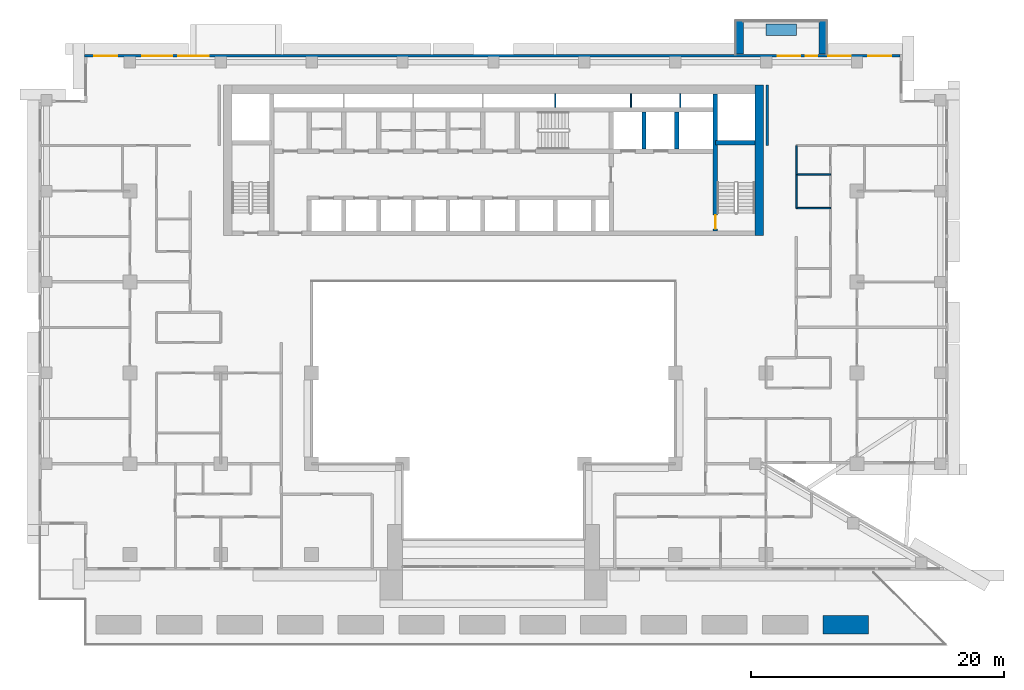
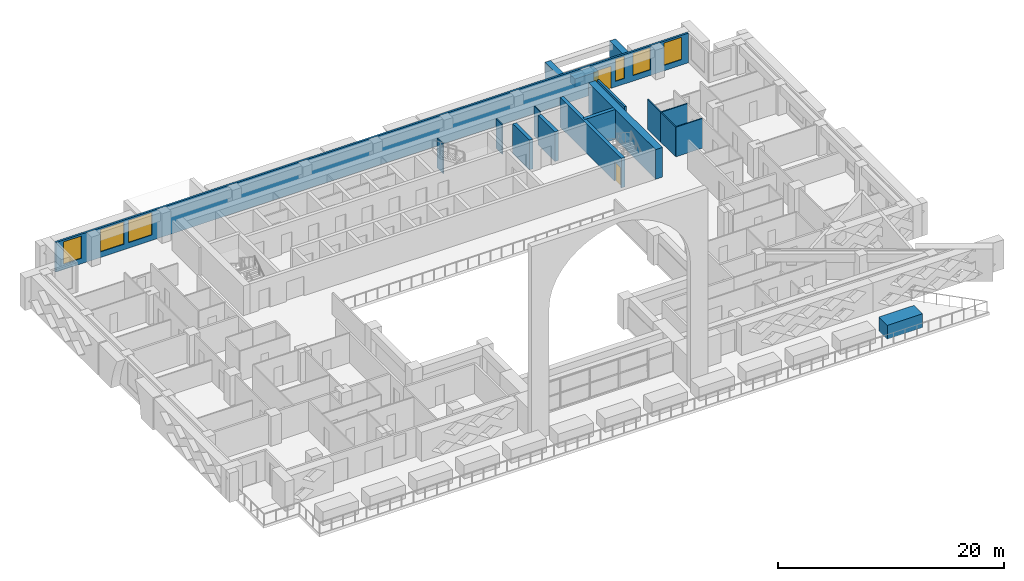
# One storey, part 11 of 17: 18 walls, 6 windows, 2 doors, 8 openings.
"""IFC4 building model written with IfcOpenShell, lengths in metres."""

from ifc_helpers import new_model, si_unit, direction, frame, frame_2d, origin, place, context, subcontext, project, spatial, rectangle, extrude, material, layer, layer_set, type_object, element, fill, save


model = new_model("IFC4")

# Units and contexts
model_context = context("Model", 3, precision=1e-05, world=origin(), true_north=direction((0.0, 1.0)))
body_context = subcontext(model_context, "Body", "Model", "MODEL_VIEW")
ifc_project = project(units=[si_unit("LENGTHUNIT", "METRE"), si_unit("AREAUNIT", "SQUARE_METRE"), si_unit("VOLUMEUNIT", "CUBIC_METRE"), si_unit("PLANEANGLEUNIT", "RADIAN"), si_unit("MASSUNIT", "GRAM", prefix="KILO")], contexts=[model_context])

# Site, building, storey
site_placement = place(None, origin())
site = spatial("IfcSite", under=ifc_project, at=site_placement, CompositionType="ELEMENT")
building_placement = place(site_placement, origin())
building = spatial("IfcBuilding", under=site, at=building_placement, Name="Saffron Iwan Residences", CompositionType="ELEMENT")
storey_placement = place(building_placement, frame((0.0, 0.0, 113.0)))
storey = spatial("IfcBuildingStorey", under=building, at=storey_placement, Name="L29", CompositionType="ELEMENT", Elevation=113.0)

# Walls
ifc_material_1 = material(Name="Concrete C50/60 white painted", Category="concrete")
ifc_layer_1 = layer(ifc_material_1, 0.60009765625)
ifc_layer_set_1 = layer_set([ifc_layer_1], Name="Concrete C50/60 white painted")
wall_type_1 = type_object("IfcWallType", Name="BALCONY FIN 600", PredefinedType="SOLIDWALL", material=ifc_layer_set_1)
for number, where, z_axis, x_axis, name in (
    (1, (76.5, 80.449951171875, 0.0), (0.0, 0.0, 1.0), (0.0, 1.0, 0.0), "Balcony fin L29 F5-0a"),
    (2, (69.89990234375, 80.449951171875, 0.0), (0.0, 0.0, 1.0), (0.0, 1.0, 0.0), "Balcony fin L29 F5-0b"),
):
    element("IfcWall", number, at=place(storey_placement, frame(where, z_axis=z_axis, x_axis=x_axis)), inside=storey, type_object=wall_type_1, Name=name, PredefinedType="SOLIDWALL", context=body_context, shape_type="SweptSolid", body=[
        extrude(rectangle(XDim=2.650146484375, YDim=0.60009765625, at=frame_2d((1.3251953125, 0.0))), origin(), (0.0, 0.0, 1.0), 2.85009765625),
    ])
ifc_material_2 = material(Name="Concrete C35/45 white painted", Category="concrete")
ifc_layer_2 = layer(ifc_material_2, 0.14990234375)
ifc_layer_set_2 = layer_set([ifc_layer_2], Name="Concrete C35/45 white painted")
wall_type_2 = type_object("IfcWallType", Name="BALCONY PLANTER", PredefinedType="SOLIDWALL", material=ifc_layer_set_2)
wall_1_placement = place(storey_placement, frame((74.39990234375, 82.375, 0.0), z_axis=(0.0, 0.0, 1.0), x_axis=(-1.0, 0.0, 0.0)))
element("IfcWall", 3, at=wall_1_placement, inside=storey, type_object=wall_type_2, Name="PLANTER L29 F5-0", PredefinedType="SOLIDWALL", context=body_context, shape_type="SweptSolid", body=[
    extrude(rectangle(XDim=2.39990234375, YDim=0.89990234375, at=frame_2d((1.199951171875, 0.0))), origin(), (0.0, 0.0, 1.0), 0.89990234375),
])

# Wall, openings, door, windows
ifc_material_3 = material(Name="Concrete C40/50", Category="concrete")
ifc_layer_3 = layer(ifc_material_3, 0.199951171875)
ifc_layer_set_3 = layer_set([ifc_layer_3], Name="Concrete C40/50")
wall_type_3 = type_object("IfcWallType", Name="EXTERNAL WALL 200", PredefinedType="SOLIDWALL", material=ifc_layer_set_3)
wall_2_placement = place(storey_placement, frame((82.60009765625, 80.300048828125, 0.0), z_axis=(0.0, 0.0, 1.0), x_axis=(-1.0, 0.0, 0.0)))
wall_2 = element("IfcWall", 4, at=wall_2_placement, inside=storey, type_object=wall_type_3, Name="External wall L29 F5.0", PredefinedType="SOLIDWALL", context=body_context, shape_type="SweptSolid", body=[
    extrude(rectangle(XDim=64.60009765625, YDim=0.199951171875, at=frame_2d((32.300048828125, 0.0))), origin(), (0.0, 0.0, 1.0), 3.199951171875),
])
opening_1_placement = place(wall_2_placement, frame((7.89990234375, 0.0, 0.0)))
opening_1 = element("IfcOpeningElement", 5, at=opening_1_placement, cuts=wall_2, Name="Opening BD1", PredefinedType="OPENING", context=body_context, shape_type="SweptSolid", body=[
    extrude(rectangle(XDim=1.800048828125, YDim=2.39990234375, at=frame_2d((0.89990234375, 1.199951171875))), frame((0.0, 0.10986328125, 0.0), z_axis=(0.0, -1.0, 0.0), x_axis=(1.0, 0.0, 0.0)), (0.0, 0.0, 1.0), 0.219970703125),
])
opening_2_placement = place(wall_2_placement, frame((54.7666015625, 0.0, 0.60009765625)))
opening_2 = element("IfcOpeningElement", 6, at=opening_2_placement, cuts=wall_2, Name="Opening W1", PredefinedType="OPENING", context=body_context, shape_type="SweptSolid", body=[
    extrude(rectangle(XDim=2.39990234375, YDim=2.39990234375, at=frame_2d((1.199951171875, 1.199951171875))), frame((0.0, 0.10986328125, 0.0), z_axis=(0.0, -1.0, 0.0), x_axis=(1.0, 0.0, 0.0)), (0.0, 0.0, 1.0), 0.219970703125),
])
opening_3_placement = place(wall_2_placement, frame((57.63330078125, 0.0, 0.60009765625)))
opening_3 = element("IfcOpeningElement", 7, at=opening_3_placement, cuts=wall_2, Name="Opening W1", PredefinedType="OPENING", context=body_context, shape_type="SweptSolid", body=[
    extrude(rectangle(XDim=2.39990234375, YDim=2.39990234375, at=frame_2d((1.199951171875, 1.199951171875))), frame((0.0, 0.10986328125, 0.0), z_axis=(0.0, -1.0, 0.0), x_axis=(1.0, 0.0, 0.0)), (0.0, 0.0, 1.0), 0.219970703125),
])
opening_4_placement = place(wall_2_placement, frame((62.0, 0.0, 0.60009765625)))
opening_4 = element("IfcOpeningElement", 8, at=opening_4_placement, cuts=wall_2, Name="Opening W8", PredefinedType="OPENING", context=body_context, shape_type="SweptSolid", body=[
    extrude(rectangle(XDim=1.800048828125, YDim=2.39990234375, at=frame_2d((0.89990234375, 1.199951171875))), frame((0.0, 0.10986328125, 0.0), z_axis=(0.0, -1.0, 0.0), x_axis=(1.0, 0.0, 0.0)), (0.0, 0.0, 1.0), 0.219970703125),
])
opening_5_placement = place(wall_2_placement, frame((0.699951171875, 0.0, 0.60009765625)))
opening_5 = element("IfcOpeningElement", 9, at=opening_5_placement, cuts=wall_2, Name="Opening W8", PredefinedType="OPENING", context=body_context, shape_type="SweptSolid", body=[
    extrude(rectangle(XDim=1.800048828125, YDim=2.39990234375, at=frame_2d((0.89990234375, 1.199951171875))), frame((0.0, 0.10986328125, 0.0), z_axis=(0.0, -1.0, 0.0), x_axis=(1.0, 0.0, 0.0)), (0.0, 0.0, 1.0), 0.219970703125),
])
opening_6_placement = place(wall_2_placement, frame((3.89990234375, 0.0, 0.60009765625)))
opening_6 = element("IfcOpeningElement", 10, at=opening_6_placement, cuts=wall_2, Name="Opening W8", PredefinedType="OPENING", context=body_context, shape_type="SweptSolid", body=[
    extrude(rectangle(XDim=1.800048828125, YDim=2.39990234375, at=frame_2d((0.89990234375, 1.199951171875))), frame((0.0, 0.10986328125, 0.0), z_axis=(0.0, -1.0, 0.0), x_axis=(1.0, 0.0, 0.0)), (0.0, 0.0, 1.0), 0.219970703125),
])
opening_7_placement = place(wall_2_placement, frame((6.550048828125, 0.0, 0.60009765625)))
opening_7 = element("IfcOpeningElement", 11, at=opening_7_placement, cuts=wall_2, Name="Opening W10", PredefinedType="OPENING", context=body_context, shape_type="SweptSolid", body=[
    extrude(rectangle(XDim=0.89990234375, YDim=2.39990234375, at=frame_2d((0.449951171875, 1.199951171875))), frame((0.0, 0.10986328125, 0.0), z_axis=(0.0, -1.0, 0.0), x_axis=(1.0, 0.0, 0.0)), (0.0, 0.0, 1.0), 0.219970703125),
])
ifc_material_4 = material(Name="Clear glass, laminated double glazed", Category="glass")
door_type_1 = type_object("IfcDoorType", Name="BALCONY DOOR 1800 x 2400", OperationType="DOUBLE_DOOR_SLIDING", PredefinedType="DOOR", material=ifc_material_4)
door_1_placement = place(opening_1_placement, origin())
door_1 = element("IfcDoor", 12, at=door_1_placement, inside=storey, type_object=door_type_1, Name="Balcony door L29 F5.0", OperationType="DOUBLE_DOOR_SLIDING", OverallHeight=2.39990234375, OverallWidth=1.800048828125, PredefinedType="DOOR", context=body_context, shape_type="SweptSolid", body=[
    extrude(rectangle(XDim=1.800048828125, YDim=2.39990234375, at=frame_2d((0.89990234375, 1.199951171875))), frame((0.0, 0.02490234375, 0.0), z_axis=(0.0, -1.0, 0.0), x_axis=(1.0, 0.0, 0.0)), (0.0, 0.0, 1.0), 0.050048828125),
])
fill(opening_1, door_1)
window_type_1 = type_object("IfcWindowType", Name="WINDOW 1800 x 2400", PartitioningType="DOUBLE_PANEL_VERTICAL", PredefinedType="WINDOW", material=ifc_material_4)
window_1_placement = place(opening_4_placement, origin())
window_1 = element("IfcWindow", 13, at=window_1_placement, inside=storey, type_object=window_type_1, Name="Window L29 F5.3", OverallHeight=2.39990234375, OverallWidth=1.800048828125, PartitioningType="DOUBLE_PANEL_VERTICAL", PredefinedType="WINDOW", context=body_context, shape_type="SweptSolid", body=[
    extrude(rectangle(XDim=1.800048828125, YDim=2.39990234375, at=frame_2d((0.89990234375, 1.199951171875))), frame((0.0, 0.030029296875, 0.0), z_axis=(0.0, -1.0, 0.0), x_axis=(1.0, 0.0, 0.0)), (0.0, 0.0, 1.0), 0.06005859375),
])
fill(opening_4, window_1)
window_2_placement = place(opening_5_placement, origin())
window_2 = element("IfcWindow", 14, at=window_2_placement, inside=storey, type_object=window_type_1, Name="Window L29 F5.4", OverallHeight=2.39990234375, OverallWidth=1.800048828125, PartitioningType="DOUBLE_PANEL_VERTICAL", PredefinedType="WINDOW", context=body_context, shape_type="SweptSolid", body=[
    extrude(rectangle(XDim=1.800048828125, YDim=2.39990234375, at=frame_2d((0.89990234375, 1.199951171875))), frame((0.0, 0.030029296875, 0.0), z_axis=(0.0, -1.0, 0.0), x_axis=(1.0, 0.0, 0.0)), (0.0, 0.0, 1.0), 0.06005859375),
])
fill(opening_5, window_2)
window_3_placement = place(opening_6_placement, origin())
window_3 = element("IfcWindow", 15, at=window_3_placement, inside=storey, type_object=window_type_1, Name="Window L29 F5.5", OverallHeight=2.39990234375, OverallWidth=1.800048828125, PartitioningType="DOUBLE_PANEL_VERTICAL", PredefinedType="WINDOW", context=body_context, shape_type="SweptSolid", body=[
    extrude(rectangle(XDim=1.800048828125, YDim=2.39990234375, at=frame_2d((0.89990234375, 1.199951171875))), frame((0.0, 0.030029296875, 0.0), z_axis=(0.0, -1.0, 0.0), x_axis=(1.0, 0.0, 0.0)), (0.0, 0.0, 1.0), 0.06005859375),
])
fill(opening_6, window_3)
window_type_2 = type_object("IfcWindowType", Name="WINDOW 2400 x 2400", PartitioningType="DOUBLE_PANEL_VERTICAL", PredefinedType="WINDOW", material=ifc_material_4)
window_4_placement = place(opening_2_placement, origin())
window_4 = element("IfcWindow", 16, at=window_4_placement, inside=storey, type_object=window_type_2, Name="Window L29 F5.1", OverallHeight=2.39990234375, OverallWidth=2.39990234375, PartitioningType="DOUBLE_PANEL_VERTICAL", PredefinedType="WINDOW", context=body_context, shape_type="SweptSolid", body=[
    extrude(rectangle(XDim=2.39990234375, YDim=2.39990234375, at=frame_2d((1.199951171875, 1.199951171875))), frame((0.0, 0.030029296875, 0.0), z_axis=(0.0, -1.0, 0.0), x_axis=(1.0, 0.0, 0.0)), (0.0, 0.0, 1.0), 0.06005859375),
])
fill(opening_2, window_4)
window_5_placement = place(opening_3_placement, origin())
window_5 = element("IfcWindow", 17, at=window_5_placement, inside=storey, type_object=window_type_2, Name="Window L29 F5.2", OverallHeight=2.39990234375, OverallWidth=2.39990234375, PartitioningType="DOUBLE_PANEL_VERTICAL", PredefinedType="WINDOW", context=body_context, shape_type="SweptSolid", body=[
    extrude(rectangle(XDim=2.39990234375, YDim=2.39990234375, at=frame_2d((1.199951171875, 1.199951171875))), frame((0.0, 0.030029296875, 0.0), z_axis=(0.0, -1.0, 0.0), x_axis=(1.0, 0.0, 0.0)), (0.0, 0.0, 1.0), 0.06005859375),
])
fill(opening_3, window_5)
window_type_3 = type_object("IfcWindowType", Name="WINDOW 900 x 2400", PartitioningType="SINGLE_PANEL", PredefinedType="WINDOW", material=ifc_material_4)
window_6_placement = place(opening_7_placement, origin())
window_6 = element("IfcWindow", 18, at=window_6_placement, inside=storey, type_object=window_type_3, Name="Window L29 F5.6", OverallHeight=2.39990234375, OverallWidth=0.89990234375, PartitioningType="SINGLE_PANEL", PredefinedType="WINDOW", context=body_context, shape_type="SweptSolid", body=[
    extrude(rectangle(XDim=0.89990234375, YDim=2.39990234375, at=frame_2d((0.449951171875, 1.199951171875))), frame((0.0, 0.030029296875, 0.0), z_axis=(0.0, -1.0, 0.0), x_axis=(1.0, 0.0, 0.0)), (0.0, 0.0, 1.0), 0.06005859375),
])
fill(opening_7, window_6)

# Walls
ifc_material_5 = material(Name="Gypsum board partition")
ifc_layer_4 = layer(ifc_material_5, 0.1201171875)
ifc_layer_set_4 = layer_set([ifc_layer_4], Name="Gypsum board partition")
wall_type_4 = type_object("IfcWallType", Name="Flat partition 120", PredefinedType="PARTITIONING", material=ifc_layer_set_4)
for number, where, z_axis, x_axis, name in (
    (19, (74.39990234375, 68.25, 0.0), (0.0, 0.0, 1.0), (1.0, 0.0, 0.0), "W-L29-PART-h68.25-74.4"),
    (20, (74.39990234375, 70.89990234375, 0.0), (0.0, 0.0, 1.0), (1.0, 0.0, 0.0), "W-L29-PART-h70.9-74.4"),
):
    element("IfcWall", number, at=place(storey_placement, frame(where, z_axis=z_axis, x_axis=x_axis)), inside=storey, type_object=wall_type_4, Name=name, PredefinedType="PARTITIONING", context=body_context, shape_type="SweptSolid", body=[
        extrude(rectangle(XDim=2.7001953125, YDim=0.1201171875, at=frame_2d((1.35009765625, 0.0))), origin(), (0.0, 0.0, 1.0), 3.199951171875),
    ])
wall_3_placement = place(storey_placement, frame((74.39990234375, 68.25, 0.0), z_axis=(0.0, 0.0, 1.0), x_axis=(0.0, 1.0, 0.0)))
element("IfcWall", 21, at=wall_3_placement, inside=storey, type_object=wall_type_4, Name="W-L29-PART-v74.4-68.25", PredefinedType="PARTITIONING", context=body_context, shape_type="SweptSolid", body=[
    extrude(rectangle(XDim=2.64990234375, YDim=0.1201171875, at=frame_2d((1.324951171875, 0.0))), origin(), (0.0, 0.0, 1.0), 3.199951171875),
])
wall_4_placement = place(storey_placement, frame((74.39990234375, 70.89990234375, 0.0), z_axis=(0.0, 0.0, 1.0), x_axis=(0.0, 1.0, 0.0)))
element("IfcWall", 22, at=wall_4_placement, inside=storey, type_object=wall_type_4, Name="W-L29-PART-v74.4-70.9", PredefinedType="PARTITIONING", context=body_context, shape_type="SweptSolid", body=[
    extrude(rectangle(XDim=2.300048828125, YDim=0.1201171875, at=frame_2d((1.14990234375, 0.0))), origin(), (0.0, 0.0, 1.0), 3.199951171875),
])
ifc_material_6 = material(Name="Fire-rated gypsum board wall")
ifc_layer_5 = layer(ifc_material_6, 0.199951171875)
ifc_layer_set_5 = layer_set([ifc_layer_5], Name="Fire-rated gypsum board wall")
wall_type_5 = type_object("IfcWallType", Name="Gallery wall 200", PredefinedType="SOLIDWALL", material=ifc_layer_set_5)
wall_5_placement = place(storey_placement, frame((72.10009765625, 73.199951171875, 0.0), z_axis=(0.0, 0.0, 1.0), x_axis=(0.0, 1.0, 0.0)))
element("IfcWall", 23, at=wall_5_placement, inside=storey, type_object=wall_type_5, Name="W-L29-CORR-v72-73.2", PredefinedType="SOLIDWALL", context=body_context, shape_type="SweptSolid", body=[
    extrude(rectangle(XDim=4.800048828125, YDim=0.199951171875, at=frame_2d((2.39990234375, 0.0))), origin(), (0.0, 0.0, 1.0), 3.199951171875),
])
ifc_material_7 = material(Name="Fire-rated plasterboard partition")
ifc_layer_6 = layer(ifc_material_7, 0.10009765625)
ifc_layer_set_6 = layer_set([ifc_layer_6], Name="Fire-rated plasterboard partition")
wall_type_6 = type_object("IfcWallType", Name="Riser partition 100", PredefinedType="PARTITIONING", material=ifc_layer_set_6)
for number, where, z_axis, x_axis, name in (
    (24, (55.300048828125, 76.22509765625, 0.0), (0.0, 0.0, 1.0), (0.0, 1.0, 0.0), "Core partition P08"),
    (25, (61.300048828125, 76.22509765625, 0.0), (0.0, 0.0, 1.0), (0.0, 1.0, 0.0), "Core partition P09"),
    (26, (65.199951171875, 76.22509765625, 0.0), (0.0, 0.0, 1.0), (0.0, 1.0, 0.0), "Core partition P10"),
):
    element("IfcWall", number, at=place(storey_placement, frame(where, z_axis=z_axis, x_axis=x_axis)), inside=storey, type_object=wall_type_6, Name=name, PredefinedType="PARTITIONING", context=body_context, shape_type="SweptSolid", body=[
        extrude(rectangle(XDim=1.074951171875, YDim=0.10009765625, at=frame_2d((0.53759765625, 0.0))), origin(), (0.0, 0.0, 1.0), 3.199951171875),
    ])
ifc_layer_7 = layer(ifc_material_3, 1.5)
ifc_layer_set_7 = layer_set([ifc_layer_7], Name="Concrete C40/50")
wall_type_7 = type_object("IfcWallType", Name="SKY GARDEN PLANTER 1500", PredefinedType="STANDARD", material=ifc_layer_set_7)
wall_6_placement = place(storey_placement, frame((76.5, 35.25, 0.0), z_axis=(0.0, 0.0, 1.0), x_axis=(1.0, 0.0, 0.0)))
element("IfcWall", 27, at=wall_6_placement, inside=storey, type_object=wall_type_7, Name="PLANTER terrace 13", PredefinedType="STANDARD", context=body_context, shape_type="SweptSolid", body=[
    extrude(rectangle(XDim=3.60009765625, YDim=1.5, at=frame_2d((1.800048828125, 0.0))), origin(), (0.0, 0.0, 1.0), 1.5),
])
ifc_material_8 = material(Name="Concrete C50/60", Category="concrete")
ifc_layer_8 = layer(ifc_material_8, 0.35009765625)
ifc_layer_set_8 = layer_set([ifc_layer_8], Name="Concrete C50/60")
wall_type_8 = type_object("IfcWallType", Name="WALL CORE 350 C50/60 3200 HIGH", PredefinedType="SHEAR", material=ifc_layer_set_8)
wall_7_placement = place(storey_placement, frame((67.97509765625, 73.425048828125, 0.0), z_axis=(0.0, 0.0, 1.0), x_axis=(1.0, 0.0, 0.0)))
element("IfcWall", 28, at=wall_7_placement, inside=storey, type_object=wall_type_8, Name="Core wall", PredefinedType="SHEAR", context=body_context, shape_type="SweptSolid", body=[
    extrude(rectangle(XDim=3.125, YDim=0.35009765625, at=frame_2d((1.5625, 0.0))), origin(), (0.0, 0.0, 1.0), 3.199951171875),
])

# Wall, opening, door
wall_8_placement = place(storey_placement, frame((67.97509765625, 66.449951171875, 0.0), z_axis=(0.0, 0.0, 1.0), x_axis=(0.0, 1.0, 0.0)))
wall_8 = element("IfcWall", 29, at=wall_8_placement, inside=storey, type_object=wall_type_8, Name="Core wall", PredefinedType="SHEAR", context=body_context, shape_type="SweptSolid", body=[
    extrude(rectangle(XDim=10.85009765625, YDim=0.35009765625, at=frame_2d((5.425048828125, 0.0))), origin(), (0.0, 0.0, 1.0), 3.199951171875),
])
opening_8_placement = place(wall_8_placement, frame((0.14990234375, 0.0, 0.0)))
opening_8 = element("IfcOpeningElement", 30, at=opening_8_placement, cuts=wall_8, Name="Opening SD", PredefinedType="OPENING", context=body_context, shape_type="SweptSolid", body=[
    extrude(rectangle(XDim=1.10009765625, YDim=2.10009765625, at=frame_2d((0.550048828125, 1.050048828125))), frame((0.0, 0.18505859375, 0.0), z_axis=(0.0, -1.0, 0.0), x_axis=(1.0, 0.0, 0.0)), (0.0, 0.0, 1.0), 0.3701171875),
])
ifc_material_9 = material(Name="Steel fire door", Category="steel")
door_type_2 = type_object("IfcDoorType", Name="Stair door 1100", OperationType="NOTDEFINED", PredefinedType="DOOR", material=ifc_material_9)
door_2_placement = place(opening_8_placement, origin())
door_2 = element("IfcDoor", 31, at=door_2_placement, inside=storey, type_object=door_type_2, Name="Stair door ST-E", OperationType="SINGLE_SWING_LEFT", OverallHeight=2.10009765625, OverallWidth=1.10009765625, PredefinedType="DOOR", context=body_context, shape_type="SweptSolid", body=[
    extrude(rectangle(XDim=1.10009765625, YDim=2.10009765625, at=frame_2d((0.550048828125, 1.050048828125))), frame((0.0, 0.02490234375, 0.0), z_axis=(0.0, -1.0, 0.0), x_axis=(1.0, 0.0, 0.0)), (0.0, 0.0, 1.0), 0.050048828125),
])
fill(opening_8, door_2)

# Walls
for number, where, z_axis, x_axis, name in (
    (32, (62.324951171875, 72.925048828125, 0.0), (0.0, 0.0, 1.0), (0.0, 1.0, 0.0), "Core wall"),
    (33, (64.925048828125, 72.925048828125, 0.0), (0.0, 0.0, 1.0), (0.0, 1.0, 0.0), "Core wall"),
):
    element("IfcWall", number, at=place(storey_placement, frame(where, z_axis=z_axis, x_axis=x_axis)), inside=storey, type_object=wall_type_8, Name=name, PredefinedType="SHEAR", context=body_context, shape_type="SweptSolid", body=[
        extrude(rectangle(XDim=2.949951171875, YDim=0.35009765625, at=frame_2d((1.47509765625, 0.0))), origin(), (0.0, 0.0, 1.0), 3.199951171875),
    ])
ifc_layer_9 = layer(ifc_material_8, 0.699951171875)
ifc_layer_set_9 = layer_set([ifc_layer_9], Name="Concrete C50/60")
wall_type_9 = type_object("IfcWallType", Name="WALL CORE 700 C50/60 3200 HIGH", PredefinedType="SHEAR", material=ifc_layer_set_9)
wall_9_placement = place(storey_placement, frame((71.449951171875, 66.10009765625, 0.0), z_axis=(0.0, 0.0, 1.0), x_axis=(0.0, 1.0, 0.0)))
element("IfcWall", 34, at=wall_9_placement, inside=storey, type_object=wall_type_9, Name="Core wall", PredefinedType="SHEAR", context=body_context, shape_type="SweptSolid", body=[
    extrude(rectangle(XDim=11.89990234375, YDim=0.699951171875, at=frame_2d((5.949951171875, 0.0))), origin(), (0.0, 0.0, 1.0), 3.199951171875),
])

save(model, "model.ifc")
